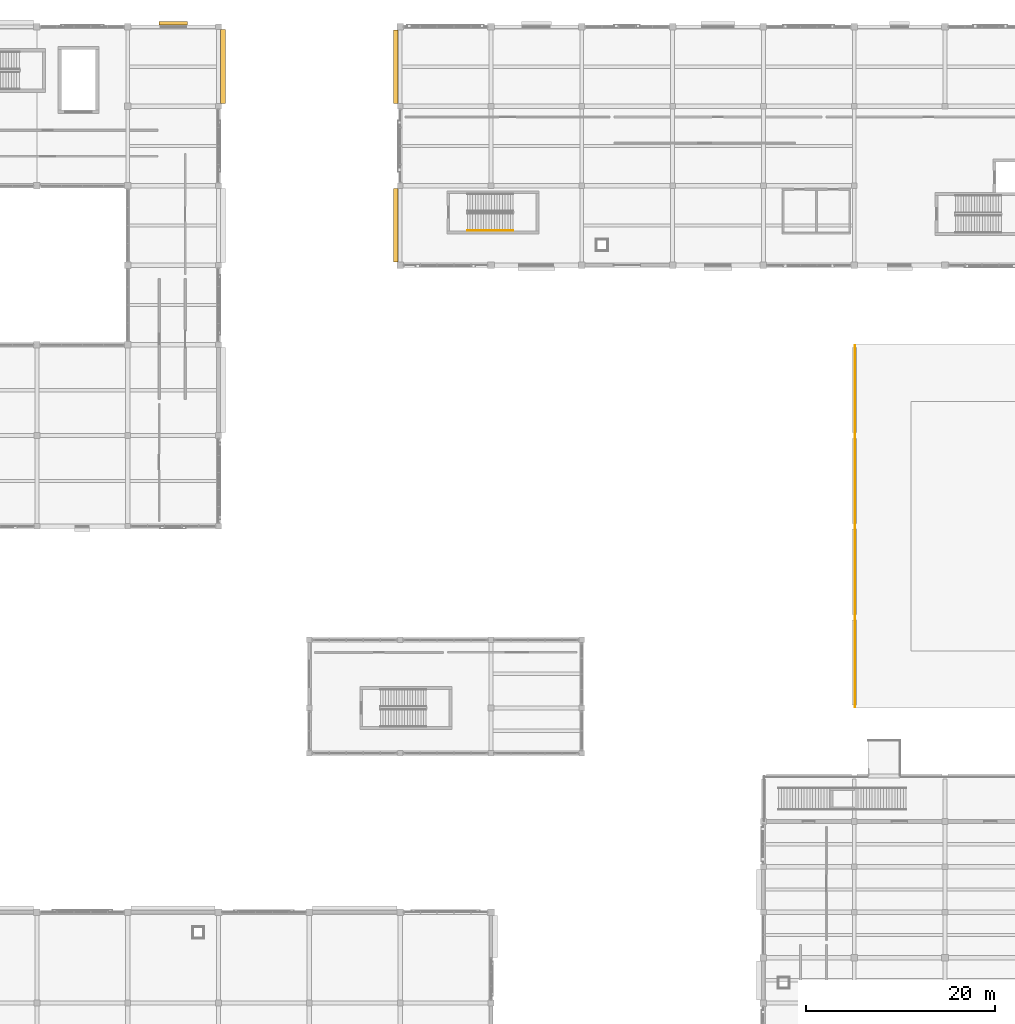
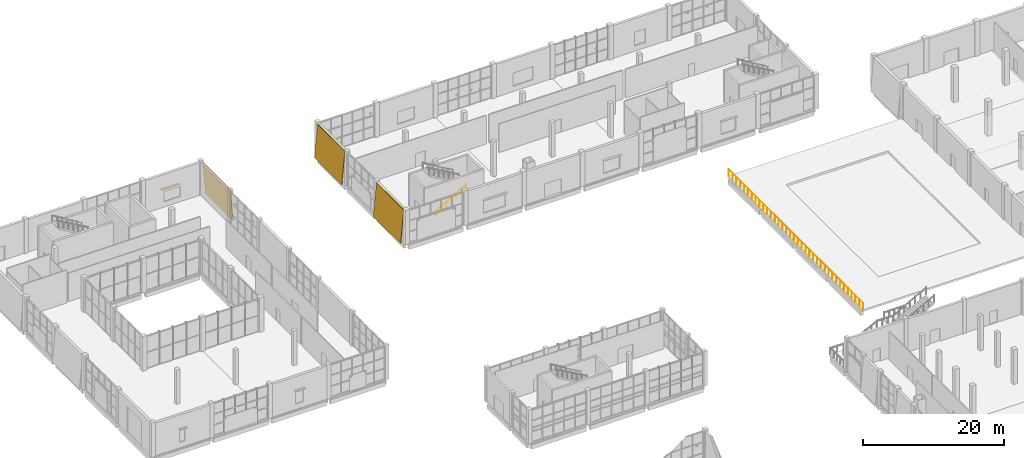
# One storey, part 77 of 84: 3 coverings, 2 railings, 1 shading device.
"""IFC4 building model written with IfcOpenShell, lengths in metres."""

from ifc_helpers import new_model, si_unit, direction, frame, origin, origin_2d, place, context, subcontext, project, spatial, polyline, rectangle, circle, outline, extrude, material, layer, layer_set, type_object, element, save


model = new_model("IFC4")

# Units and contexts
model_context = context("Model", 3, precision=1e-05, world=origin(), true_north=direction((0.0, 1.0)))
body_context = subcontext(model_context, "Body", "Model", "MODEL_VIEW")
ifc_project = project(units=[si_unit("LENGTHUNIT", "METRE"), si_unit("AREAUNIT", "SQUARE_METRE"), si_unit("VOLUMEUNIT", "CUBIC_METRE"), si_unit("PLANEANGLEUNIT", "RADIAN"), si_unit("MASSUNIT", "GRAM", prefix="KILO")], contexts=[model_context])

# Site, building, storey
site_placement = place(None, origin())
site = spatial("IfcSite", under=ifc_project, at=site_placement, CompositionType="ELEMENT")
building_placement = place(site_placement, origin())
building = spatial("IfcBuilding", under=site, at=building_placement, Name="Shalvenor Court Art Gallery", CompositionType="ELEMENT")
storey_placement = place(building_placement, origin())
storey = spatial("IfcBuildingStorey", under=building, at=storey_placement, Name="L00", CompositionType="ELEMENT", Elevation=0.0)

# Coverings
ifc_material_1 = material(Name="Pale Mediterranean limestone cladding", Category="masonry")
ifc_layer_1 = layer(ifc_material_1, 0.080078125, Name="Pale Mediterranean limestone cladding")
ifc_layer_set_1 = layer_set([ifc_layer_1], Name="Pale Mediterranean limestone cladding")
covering_type_1 = type_object("IfcCoveringType", Name="CLD-01", PredefinedType="CLADDING", material=ifc_layer_set_1)
for number, where, z_axis, x_axis, name in (
    (1, (56.873046875, 105.300048828125, 0.0), (0.0, 0.0, 1.0), (0.0, -1.0, 0.0), "L00 V2 Tapered Limestone Cladding 30"),
    (2, (56.873046875, 122.050048828125, 0.0), (0.0, 0.0, 1.0), (0.0, -1.0, 0.0), "L00 V2 Tapered Limestone Cladding 31"),
):
    element("IfcCovering", number, at=place(storey_placement, frame(where, z_axis=z_axis, x_axis=x_axis)), inside=storey, type_object=covering_type_1, Name=name, PredefinedType="CLADDING", context=body_context, shape_type="SweptSolid", body=[
        extrude(outline(polyline([(0.0, 0.0), (7.75, 0.0), (7.75, 5.703369140625), (0.0, 5.703369140625), (0.0, 0.0)])), frame((0.0, 0.0, 0.0), z_axis=(0.0, -0.995884398616, 0.090632580198), x_axis=(1.0, 0.0, 0.0)), (0.0, 0.090632580198, -0.995884398616), 0.080322265625),
    ])
ifc_material_2 = material(Name="Honed Jerusalem limestone cladding", Category="masonry")
ifc_layer_2 = layer(ifc_material_2, 0.06494140625, Name="Honed Jerusalem limestone cladding")
ifc_layer_set_2 = layer_set([ifc_layer_2], Name="Honed Jerusalem limestone cladding")
covering_type_2 = type_object("IfcCoveringType", Name="CLD-02", PredefinedType="CLADDING", material=ifc_layer_set_2)
covering_placement = place(storey_placement, frame((39.126953125, 114.300048828125, 0.0), z_axis=(0.0, 0.0, 1.0), x_axis=(0.0, 1.0, 0.0)))
element("IfcCovering", 3, at=covering_placement, inside=storey, type_object=covering_type_2, Name="L00 V5 Tapered Limestone Cladding 94", PredefinedType="CLADDING", context=body_context, shape_type="SweptSolid", body=[
    extrude(outline(polyline([(0.0, 0.0), (7.800048828125, 0.0), (7.800048828125, 5.703369140625), (0.0, 5.703369140625), (0.0, 0.0)])), frame((0.0, 0.0, 0.0), z_axis=(0.0, -0.995884398616, 0.090632580198), x_axis=(1.0, 0.0, 0.0)), (0.0, 0.090632580198, -0.995884398616), 0.080322265625),
])

# Railings
ifc_material_3 = material(Name="Stainless steel and laminated glass balustrade", Category="steel")
railing_type_1 = type_object("IfcRailingType", Name="GR-01", PredefinedType="BALUSTRADE", material=ifc_material_3)
railing_1_placement = place(storey_placement, frame((105.679931640625, 50.47998046875, 0.0)))
element("IfcRailing", 4, at=railing_1_placement, inside=storey, type_object=railing_type_1, Name="L00 Sculpture Court West Overlook Balustrade", PredefinedType="BALUSTRADE", context=body_context, shape_type="SweptSolid", body=[
    extrude(circle(Radius=0.02392578125, at=origin_2d()), frame((0.0, 0.0, 1.09619140625), z_axis=(0.0, 1.0, 0.0), x_axis=(-1.0, 0.0, 0.0)), (0.0, 0.0, 1.0), 38.239990234375),
    extrude(circle(Radius=0.02099609375, at=origin_2d()), origin(), (0.0, 0.0, 1.0), 1.072021484375),
    extrude(circle(Radius=0.02099609375, at=origin_2d()), frame((0.0, 1.092529296875, 0.0)), (0.0, 0.0, 1.0), 1.072021484375),
    extrude(circle(Radius=0.02099609375, at=origin_2d()), frame((0.0, 2.18505859375, 0.0)), (0.0, 0.0, 1.0), 1.072021484375),
    extrude(circle(Radius=0.02099609375, at=origin_2d()), frame((0.0, 3.27783203125, 0.0)), (0.0, 0.0, 1.0), 1.072021484375),
    extrude(circle(Radius=0.02099609375, at=origin_2d()), frame((0.0, 4.370361328125, 0.0)), (0.0, 0.0, 1.0), 1.072021484375),
    extrude(circle(Radius=0.02099609375, at=origin_2d()), frame((0.0, 5.462890625, 0.0)), (0.0, 0.0, 1.0), 1.072021484375),
    extrude(circle(Radius=0.02099609375, at=origin_2d()), frame((0.0, 6.555419921875, 0.0)), (0.0, 0.0, 1.0), 1.072021484375),
    extrude(circle(Radius=0.02099609375, at=origin_2d()), frame((0.0, 7.64794921875, 0.0)), (0.0, 0.0, 1.0), 1.072021484375),
    extrude(circle(Radius=0.02099609375, at=origin_2d()), frame((0.0, 8.740478515625, 0.0)), (0.0, 0.0, 1.0), 1.072021484375),
    extrude(circle(Radius=0.02099609375, at=origin_2d()), frame((0.0, 9.833251953125, 0.0)), (0.0, 0.0, 1.0), 1.072021484375),
    extrude(circle(Radius=0.02099609375, at=origin_2d()), frame((0.0, 10.92578125, 0.0)), (0.0, 0.0, 1.0), 1.072021484375),
    extrude(circle(Radius=0.02099609375, at=origin_2d()), frame((0.0, 12.018310546875, 0.0)), (0.0, 0.0, 1.0), 1.072021484375),
    extrude(circle(Radius=0.02099609375, at=origin_2d()), frame((0.0, 13.11083984375, 0.0)), (0.0, 0.0, 1.0), 1.072021484375),
    extrude(circle(Radius=0.02099609375, at=origin_2d()), frame((0.0, 14.203369140625, 0.0)), (0.0, 0.0, 1.0), 1.072021484375),
    extrude(circle(Radius=0.02099609375, at=origin_2d()), frame((0.0, 15.2958984375, 0.0)), (0.0, 0.0, 1.0), 1.072021484375),
    extrude(circle(Radius=0.02099609375, at=origin_2d()), frame((0.0, 16.388671875, 0.0)), (0.0, 0.0, 1.0), 1.072021484375),
    extrude(circle(Radius=0.02099609375, at=origin_2d()), frame((0.0, 17.481201171875, 0.0)), (0.0, 0.0, 1.0), 1.072021484375),
    extrude(circle(Radius=0.02099609375, at=origin_2d()), frame((0.0, 18.57373046875, 0.0)), (0.0, 0.0, 1.0), 1.072021484375),
    extrude(circle(Radius=0.02099609375, at=origin_2d()), frame((0.0, 19.666259765625, 0.0)), (0.0, 0.0, 1.0), 1.072021484375),
    extrude(circle(Radius=0.02099609375, at=origin_2d()), frame((0.0, 20.7587890625, 0.0)), (0.0, 0.0, 1.0), 1.072021484375),
    extrude(circle(Radius=0.02099609375, at=origin_2d()), frame((0.0, 21.851318359375, 0.0)), (0.0, 0.0, 1.0), 1.072021484375),
    extrude(circle(Radius=0.02099609375, at=origin_2d()), frame((0.0, 22.944091796875, 0.0)), (0.0, 0.0, 1.0), 1.072021484375),
    extrude(circle(Radius=0.02099609375, at=origin_2d()), frame((0.0, 24.03662109375, 0.0)), (0.0, 0.0, 1.0), 1.072021484375),
    extrude(circle(Radius=0.02099609375, at=origin_2d()), frame((0.0, 25.129150390625, 0.0)), (0.0, 0.0, 1.0), 1.072021484375),
    extrude(circle(Radius=0.02099609375, at=origin_2d()), frame((0.0, 26.2216796875, 0.0)), (0.0, 0.0, 1.0), 1.072021484375),
    extrude(circle(Radius=0.02099609375, at=origin_2d()), frame((0.0, 27.314208984375, 0.0)), (0.0, 0.0, 1.0), 1.072021484375),
    extrude(circle(Radius=0.02099609375, at=origin_2d()), frame((0.0, 28.40673828125, 0.0)), (0.0, 0.0, 1.0), 1.072021484375),
    extrude(circle(Radius=0.02099609375, at=origin_2d()), frame((0.0, 29.49951171875, 0.0)), (0.0, 0.0, 1.0), 1.072021484375),
    extrude(circle(Radius=0.02099609375, at=origin_2d()), frame((0.0, 30.592041015625, 0.0)), (0.0, 0.0, 1.0), 1.072021484375),
    extrude(circle(Radius=0.02099609375, at=origin_2d()), frame((0.0, 31.6845703125, 0.0)), (0.0, 0.0, 1.0), 1.072021484375),
    extrude(circle(Radius=0.02099609375, at=origin_2d()), frame((0.0, 32.777099609375, 0.0)), (0.0, 0.0, 1.0), 1.072021484375),
    extrude(circle(Radius=0.02099609375, at=origin_2d()), frame((0.0, 33.86962890625, 0.0)), (0.0, 0.0, 1.0), 1.072021484375),
    extrude(circle(Radius=0.02099609375, at=origin_2d()), frame((0.0, 34.962158203125, 0.0)), (0.0, 0.0, 1.0), 1.072021484375),
    extrude(circle(Radius=0.02099609375, at=origin_2d()), frame((0.0, 36.054931640625, 0.0)), (0.0, 0.0, 1.0), 1.072021484375),
    extrude(circle(Radius=0.02099609375, at=origin_2d()), frame((0.0, 37.1474609375, 0.0)), (0.0, 0.0, 1.0), 1.072021484375),
    extrude(circle(Radius=0.02099609375, at=origin_2d()), frame((0.0, 38.239990234375, 0.0)), (0.0, 0.0, 1.0), 1.072021484375),
])
ifc_material_4 = material(Name="Brushed stainless steel handrail", Category="steel")
railing_type_2 = type_object("IfcRailingType", Name="HR-01", PredefinedType="HANDRAIL", material=ifc_material_4)
railing_2_placement = place(storey_placement, frame((64.699951171875, 100.85009765625, 0.166748046875)))
element("IfcRailing", 5, at=railing_2_placement, inside=storey, type_object=railing_type_2, Name="L00 ST-09 Stair Handrail 1", PredefinedType="HANDRAIL", context=body_context, shape_type="SweptSolid", body=[
    extrude(circle(Radius=0.02392578125, at=origin_2d()), frame((0.0, 0.0, 0.8759765625), z_axis=(0.863234098208, 0.0, 0.504803815052), x_axis=(0.0, 1.0, 0.0)), (0.0, 0.0, 1.0), 5.612548828125),
    extrude(circle(Radius=0.02099609375, at=origin_2d()), origin(), (0.0, 0.0, 1.0), 0.851806640625),
    extrude(circle(Radius=0.02099609375, at=origin_2d()), frame((0.8076171875, 0.0, 0.47216796875)), (0.0, 0.0, 1.0), 0.851806640625),
    extrude(circle(Radius=0.02099609375, at=origin_2d()), frame((1.614990234375, 0.0, 0.9443359375)), (0.0, 0.0, 1.0), 0.851806640625),
    extrude(circle(Radius=0.02099609375, at=origin_2d()), frame((2.42236328125, 0.0, 1.41650390625)), (0.0, 0.0, 1.0), 0.851806640625),
    extrude(circle(Radius=0.02099609375, at=origin_2d()), frame((3.22998046875, 0.0, 1.888916015625)), (0.0, 0.0, 1.0), 0.851806640625),
    extrude(circle(Radius=0.02099609375, at=origin_2d()), frame((4.03759765625, 0.0, 2.361083984375)), (0.0, 0.0, 1.0), 0.851806640625),
    extrude(circle(Radius=0.02099609375, at=origin_2d()), frame((4.844970703125, 0.0, 2.833251953125)), (0.0, 0.0, 1.0), 0.851806640625),
])

# Shading device
ifc_material_5 = material(Name="Dark anodised bronze aluminium louvre", Category="aluminium")
shading_device_type = type_object("IfcShadingDeviceType", Name="SHD-01", PredefinedType="JALOUSIE", material=ifc_material_5)
shading_device_placement = place(storey_placement, frame((33.625, 122.77001953125, 2.699951171875), z_axis=(0.0, 0.0, 1.0), x_axis=(1.0, 0.0, 0.0)))
element("IfcShadingDevice", 6, at=shading_device_placement, inside=storey, type_object=shading_device_type, Name="L00 Koushi Window Sunshade 56", PredefinedType="JALOUSIE", context=body_context, shape_type="SweptSolid", body=[
    extrude(rectangle(XDim=3.0, YDim=0.360107421875, at=origin_2d()), origin(), (0.0, 0.0, 1.0), 0.080078125),
])

save(model, "model.ifc")
